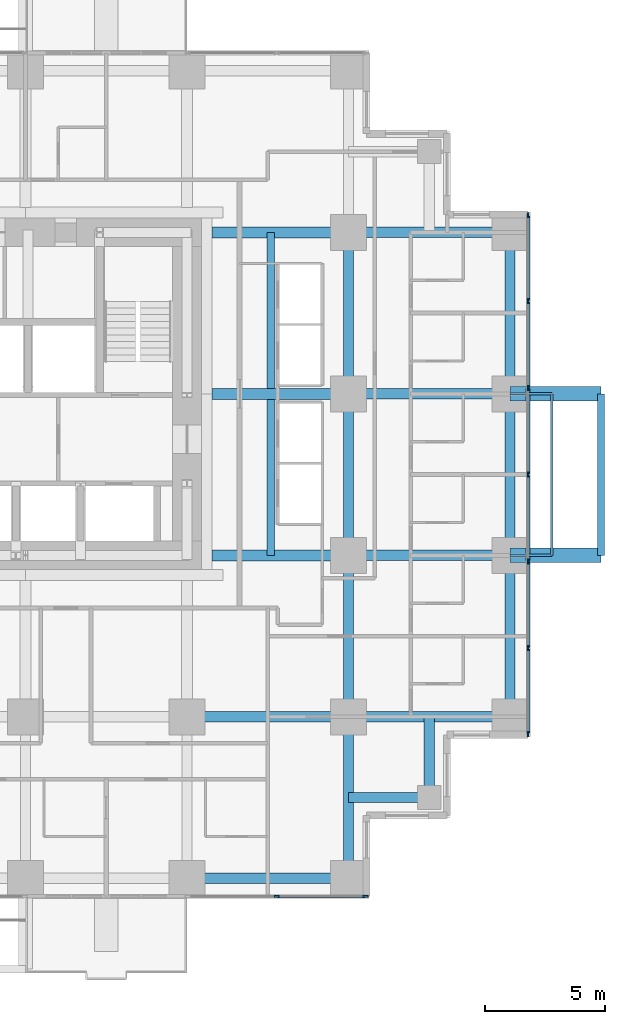
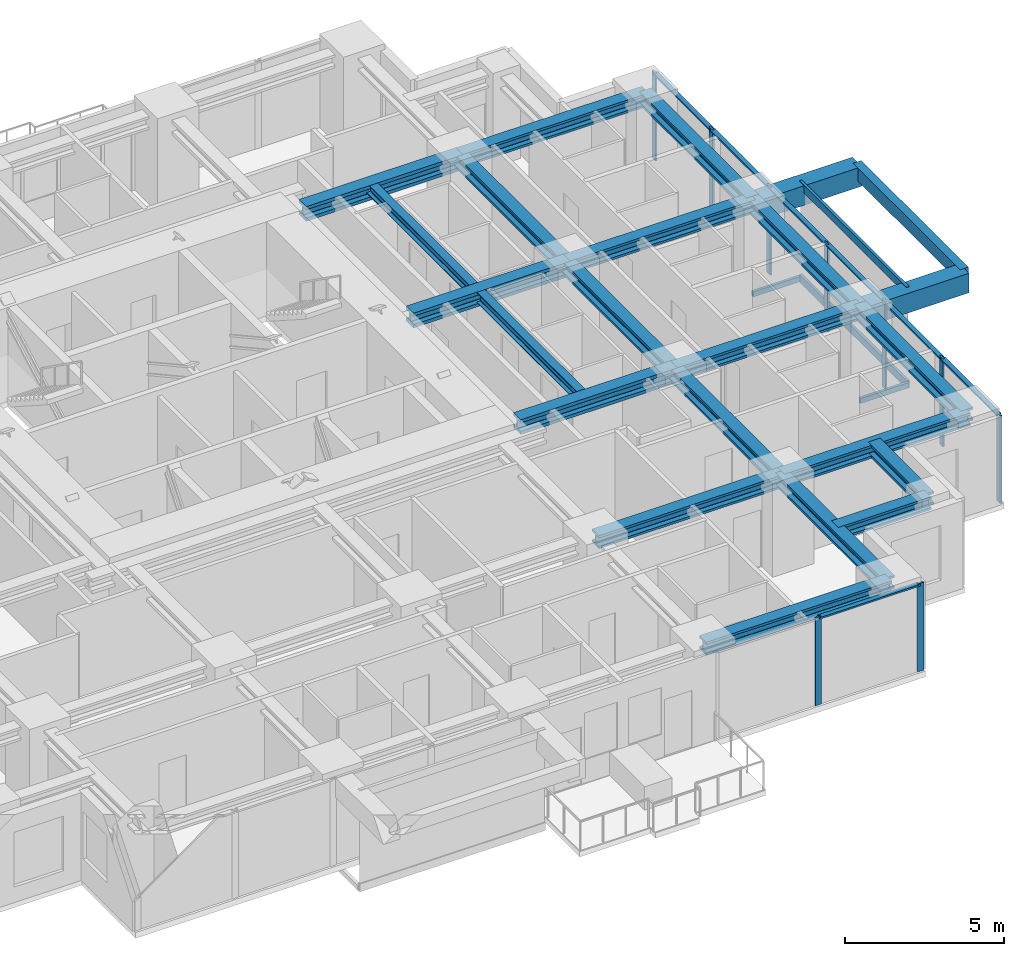
# One storey, part 4 of 12: 23 beams, 20 members, 2 elements without a shape of their own.
"""IFC4 building model written with IfcOpenShell, lengths in metres."""

from ifc_helpers import new_model, si_unit, direction, frame, origin, origin_2d, place, context, subcontext, project, spatial, rectangle, hollow_rectangle, i_section, extrude, material, material_profile, profile_set, type_object, element, aggregate, save


model = new_model("IFC4")

# Units and contexts
model_context = context("Model", 3, precision=1e-05, world=origin(), true_north=direction((0.0, 1.0)))
body_context = subcontext(model_context, "Body", "Model", "MODEL_VIEW")
ifc_project = project(units=[si_unit("LENGTHUNIT", "METRE"), si_unit("AREAUNIT", "SQUARE_METRE"), si_unit("VOLUMEUNIT", "CUBIC_METRE"), si_unit("PLANEANGLEUNIT", "RADIAN"), si_unit("MASSUNIT", "GRAM", prefix="KILO")], contexts=[model_context])

# Site, building, storey
site_placement = place(None, origin())
site = spatial("IfcSite", under=ifc_project, at=site_placement, CompositionType="ELEMENT")
building_placement = place(site_placement, origin())
building = spatial("IfcBuilding", under=site, at=building_placement, Name="Nyansa Garden Tower", CompositionType="ELEMENT")
storey_placement = place(building_placement, frame((0.0, 0.0, 126.89990234375)))
storey = spatial("IfcBuildingStorey", under=building, at=storey_placement, Name="L34", CompositionType="ELEMENT", Elevation=126.89990234375)

# Beams
ifc_material_1 = material(Name="Concrete C70/85", Category="concrete")
ifc_material_profile_1 = material_profile(ifc_material_1, rectangle(XDim=0.60009765625, YDim=0.75, at=origin_2d()), Name="RC 600x750")
ifc_profile_set_1 = profile_set([ifc_material_profile_1], Name="Concrete C70/85")
beam_type_1 = type_object("IfcBeamType", Name="Balcony cantilever beam CB1 RC 600x750", PredefinedType="BEAM", material=ifc_profile_set_1)
for number, where, z_axis, x_axis, name in (
    (1, (40.5, 13.5, 2.985107421875), (1.0, 0.0, 0.0), (0.0, 1.0, 0.0), "Balcony cantilever beam L35"),
    (2, (40.5, 20.25, 2.985107421875), (1.0, 0.0, 0.0), (0.0, 1.0, 0.0), "Balcony cantilever beam L35"),
):
    element("IfcBeam", number, at=place(storey_placement, frame(where, z_axis=z_axis, x_axis=x_axis)), inside=storey, type_object=beam_type_1, Name=name, PredefinedType="BEAM", context=body_context, shape_type="SweptSolid", body=[
        extrude(rectangle(XDim=0.60009765625, YDim=0.75, at=origin_2d()), origin(), (0.0, 0.0, 1.0), 3.800048828125),
    ])
ifc_material_2 = material(Name="Concrete C70/85", Category="concrete")
ifc_material_profile_2 = material_profile(ifc_material_2, rectangle(XDim=0.300048828125, YDim=0.5, at=origin_2d()), Name="RC 300x500")
ifc_profile_set_2 = profile_set([ifc_material_profile_2], Name="Concrete C70/85")
beam_type_2 = type_object("IfcBeamType", Name="Balcony edge beam BE1 RC 300x500", PredefinedType="BEAM", material=ifc_profile_set_2)
beam_placement = place(storey_placement, frame((44.300048828125, 13.5, 3.110107421875), z_axis=(0.0, 1.0, 0.0), x_axis=(-1.0, 0.0, 0.0)))
element("IfcBeam", 3, at=beam_placement, inside=storey, type_object=beam_type_2, Name="Balcony edge beam L35", PredefinedType="BEAM", context=body_context, shape_type="SweptSolid", body=[
    extrude(rectangle(XDim=0.300048828125, YDim=0.5, at=origin_2d()), origin(), (0.0, 0.0, 1.0), 6.75),
])

# Curtain wall, members
ifc_material_3 = material(Name="Black anodised aluminium, dark tinted double glazing", Category="aluminium")
curtain_wall_type = type_object("IfcCurtainWallType", Name="Inner skin curtain wall ISW-B", PredefinedType="USERDEFINED", material=ifc_material_3)
curtain_wall_1_placement = place(storey_placement, origin())
curtain_wall_1 = element("IfcCurtainWall", 4, at=curtain_wall_1_placement, inside=storey, type_object=curtain_wall_type, Name="Inner skin curtain wall L34 E", ObjectType="UNITISED CURTAIN WALL", PredefinedType="USERDEFINED")
ifc_material_4 = material(Name="Black anodised aluminium", Category="aluminium")
ifc_material_profile_3 = material_profile(ifc_material_4, rectangle(XDim=0.06494140625, YDim=0.22509765625, at=origin_2d()), Name="Mullion 225x65")
ifc_profile_set_3 = profile_set([ifc_material_profile_3], Name="Black anodised aluminium")
member_type_1 = type_object("IfcMemberType", Name="Mullion ISW-B 225x65", PredefinedType="MULLION", material=ifc_profile_set_3)
member_1_placement = place(storey_placement, frame((41.25, 6.032470703125, 0.0), z_axis=(0.0, 0.0, 1.0), x_axis=(-1.0, 0.0, 0.0)))
member_1 = element("IfcMember", 5, at=member_1_placement, type_object=member_type_1, Name="ISW-B mullion 1", PredefinedType="MULLION", context=body_context, shape_type="SweptSolid", body=[
    extrude(rectangle(XDim=0.06494140625, YDim=0.22509765625, at=origin_2d()), origin(), (0.0, 0.0, 1.0), 3.375),
])
member_2_placement = place(storey_placement, frame((41.25, 9.625, 0.0), z_axis=(0.0, 0.0, 1.0), x_axis=(-1.0, 0.0, 0.0)))
member_2 = element("IfcMember", 6, at=member_2_placement, type_object=member_type_1, Name="ISW-B mullion 2", PredefinedType="MULLION", context=body_context, shape_type="SweptSolid", body=[
    extrude(rectangle(XDim=0.06494140625, YDim=0.22509765625, at=origin_2d()), origin(), (0.0, 0.0, 1.0), 3.375),
])
member_3_placement = place(storey_placement, frame((41.25, 13.25, 0.0), z_axis=(0.0, 0.0, 1.0), x_axis=(-1.0, 0.0, 0.0)))
member_3 = element("IfcMember", 7, at=member_3_placement, type_object=member_type_1, Name="ISW-B mullion 3", PredefinedType="MULLION", context=body_context, shape_type="SweptSolid", body=[
    extrude(rectangle(XDim=0.06494140625, YDim=0.22509765625, at=origin_2d()), origin(), (0.0, 0.0, 1.0), 3.375),
])
member_4_placement = place(storey_placement, frame((41.25, 16.875, 0.0), z_axis=(0.0, 0.0, 1.0), x_axis=(-1.0, 0.0, 0.0)))
member_4 = element("IfcMember", 8, at=member_4_placement, type_object=member_type_1, Name="ISW-B mullion 4", PredefinedType="MULLION", context=body_context, shape_type="SweptSolid", body=[
    extrude(rectangle(XDim=0.06494140625, YDim=0.22509765625, at=origin_2d()), origin(), (0.0, 0.0, 1.0), 3.375),
])
member_5_placement = place(storey_placement, frame((41.25, 20.5, 0.0), z_axis=(0.0, 0.0, 1.0), x_axis=(-1.0, 0.0, 0.0)))
member_5 = element("IfcMember", 9, at=member_5_placement, type_object=member_type_1, Name="ISW-B mullion 5", PredefinedType="MULLION", context=body_context, shape_type="SweptSolid", body=[
    extrude(rectangle(XDim=0.06494140625, YDim=0.22509765625, at=origin_2d()), origin(), (0.0, 0.0, 1.0), 3.375),
])
member_6_placement = place(storey_placement, frame((41.25, 24.125, 0.0), z_axis=(0.0, 0.0, 1.0), x_axis=(-1.0, 0.0, 0.0)))
member_6 = element("IfcMember", 10, at=member_6_placement, type_object=member_type_1, Name="ISW-B mullion 6", PredefinedType="MULLION", context=body_context, shape_type="SweptSolid", body=[
    extrude(rectangle(XDim=0.06494140625, YDim=0.22509765625, at=origin_2d()), origin(), (0.0, 0.0, 1.0), 3.375),
])
member_7_placement = place(storey_placement, frame((41.25, 27.717529296875, 0.0), z_axis=(0.0, 0.0, 1.0), x_axis=(-1.0, 0.0, 0.0)))
member_7 = element("IfcMember", 11, at=member_7_placement, type_object=member_type_1, Name="ISW-B mullion 7", PredefinedType="MULLION", context=body_context, shape_type="SweptSolid", body=[
    extrude(rectangle(XDim=0.06494140625, YDim=0.22509765625, at=origin_2d()), origin(), (0.0, 0.0, 1.0), 3.375),
])

curtain_wall_2_placement = place(storey_placement, origin())
curtain_wall_2 = element("IfcCurtainWall", 12, at=curtain_wall_2_placement, inside=storey, type_object=curtain_wall_type, Name="Inner skin curtain wall L34 S", ObjectType="UNITISED CURTAIN WALL", PredefinedType="USERDEFINED")
member_8_placement = place(storey_placement, frame((30.75, -0.75, 0.0), z_axis=(0.0, 0.0, 1.0), x_axis=(0.0, 1.0, 0.0)))
member_8 = element("IfcMember", 13, at=member_8_placement, type_object=member_type_1, Name="ISW-B mullion 2", PredefinedType="MULLION", context=body_context, shape_type="SweptSolid", body=[
    extrude(rectangle(XDim=0.06494140625, YDim=0.22509765625, at=origin_2d()), origin(), (0.0, 0.0, 1.0), 3.375),
])
member_9_placement = place(storey_placement, frame((34.467529296875, -0.75, 0.0), z_axis=(0.0, 0.0, 1.0), x_axis=(0.0, 1.0, 0.0)))
member_9 = element("IfcMember", 14, at=member_9_placement, type_object=member_type_1, Name="ISW-B mullion 3", PredefinedType="MULLION", context=body_context, shape_type="SweptSolid", body=[
    extrude(rectangle(XDim=0.06494140625, YDim=0.22509765625, at=origin_2d()), origin(), (0.0, 0.0, 1.0), 3.375),
])

# Members
ifc_material_5 = material(Name="Steel S355, black powder coated", Category="steel")
ifc_material_profile_4 = material_profile(ifc_material_5, hollow_rectangle(XDim=0.10009765625, YDim=0.199951171875, WallThickness=0.008056640625, at=origin_2d()), Name="RHS 200x100x8")
ifc_profile_set_4 = profile_set([ifc_material_profile_4], Name="Steel S355, black powder coated")
member_type_2 = type_object("IfcMemberType", Name="Outer skin bracket arm RHS 200x100x8", PredefinedType="USERDEFINED", material=ifc_profile_set_4)
for number, where, z_axis, x_axis, name in (
    (15, (40.5, 13.5, -0.375), (1.0, 0.0, 0.0), (0.0, 1.0, 0.0), "Outer skin bracket arm"),
    (16, (40.5, 20.25, -0.375), (1.0, 0.0, 0.0), (0.0, 1.0, 0.0), "Outer skin bracket arm"),
):
    element("IfcMember", number, at=place(storey_placement, frame(where, z_axis=z_axis, x_axis=x_axis)), inside=storey, type_object=member_type_2, Name=name, ObjectType="OUTER SKIN BRACKET", PredefinedType="USERDEFINED", context=body_context, shape_type="SweptSolid", body=[
        extrude(hollow_rectangle(XDim=0.10009765625, YDim=0.199951171875, WallThickness=0.008056640625, at=origin_2d()), origin(), (0.0, 0.0, 1.0), 1.75),
    ])
ifc_material_6 = material(Name="Steel S355, black powder coated", Category="steel")
ifc_material_profile_5 = material_profile(ifc_material_6, hollow_rectangle(XDim=0.10009765625, YDim=0.300048828125, WallThickness=0.010009765625, at=origin_2d()), Name="RHS 300x100x10")
ifc_profile_set_5 = profile_set([ifc_material_profile_5], Name="Steel S355, black powder coated")
member_type_3 = type_object("IfcMemberType", Name="Outer skin rail RHS 300x100x10", PredefinedType="USERDEFINED", material=ifc_profile_set_5)
for number, where, z_axis, x_axis, name in (
    (17, (42.25, 13.5, -0.375), (0.0, 1.0, 0.0), (-1.0, 0.0, 0.0), "Outer skin rail L34"),
    (18, (42.25, 13.5, 3.22509765625), (0.0, 1.0, 0.0), (-1.0, 0.0, 0.0), "Outer skin rail L34 head"),
):
    element("IfcMember", number, at=place(storey_placement, frame(where, z_axis=z_axis, x_axis=x_axis)), inside=storey, type_object=member_type_3, Name=name, ObjectType="OUTER SKIN RAIL", PredefinedType="USERDEFINED", context=body_context, shape_type="SweptSolid", body=[
        extrude(hollow_rectangle(XDim=0.10009765625, YDim=0.300048828125, WallThickness=0.010009765625, at=origin_2d()), origin(), (0.0, 0.0, 1.0), 6.75),
    ])

# Beams
ifc_material_7 = material(Name="Steel S355", Category="steel")
ifc_material_profile_6 = material_profile(ifc_material_7, i_section(OverallWidth=0.431884765625, OverallDepth=0.498046875, WebThickness=0.0556640625, FlangeThickness=0.0888671875, FilletRadius=0.014892578125, at=origin_2d()), Name="HD 400x744")
ifc_profile_set_6 = profile_set([ifc_material_profile_6], Name="Steel S355")
beam_type_3 = type_object("IfcBeamType", Name="Steel beam SBB1-744 HD 400x744", PredefinedType="BEAM", material=ifc_profile_set_6)
for number, where, z_axis, x_axis, name in (
    (19, (27.0, 6.75, 3.1259765625), (1.0, 0.0, 0.0), (0.0, 1.0, 0.0), "Steel beam 6/E-7/E L35"),
    (20, (33.75, 0.0, 3.1259765625), (0.0, 1.0, 0.0), (-1.0, 0.0, 0.0), "Steel beam 7/D-7/E L35"),
    (21, (33.75, 6.75, 3.1259765625), (0.0, 1.0, 0.0), (-1.0, 0.0, 0.0), "Steel beam 7/E-7/F L35"),
    (22, (33.75, 6.75, 3.1259765625), (1.0, 0.0, 0.0), (0.0, 1.0, 0.0), "Steel beam 7/E-8/E L35"),
    (23, (33.75, 13.5, 3.1259765625), (0.0, 1.0, 0.0), (-1.0, 0.0, 0.0), "Steel beam 7/F-7/G L35"),
    (24, (33.75, 13.5, 3.1259765625), (1.0, 0.0, 0.0), (0.0, 1.0, 0.0), "Steel beam 7/F-8/F L35"),
    (25, (33.75, 20.25, 3.1259765625), (0.0, 1.0, 0.0), (-1.0, 0.0, 0.0), "Steel beam 7/G-7/H L35"),
    (26, (33.75, 20.25, 3.1259765625), (1.0, 0.0, 0.0), (0.0, 1.0, 0.0), "Steel beam 7/G-8/G L35"),
    (27, (33.75, 27.0, 3.1259765625), (1.0, 0.0, 0.0), (0.0, 1.0, 0.0), "Steel beam 7/H-8/H L35"),
):
    element("IfcBeam", number, at=place(storey_placement, frame(where, z_axis=z_axis, x_axis=x_axis)), inside=storey, type_object=beam_type_3, Name=name, PredefinedType="BEAM", context=body_context, shape_type="SweptSolid", body=[
        extrude(i_section(OverallWidth=0.431884765625, OverallDepth=0.498046875, WebThickness=0.0556640625, FlangeThickness=0.0888671875, FilletRadius=0.014892578125, at=origin_2d()), origin(), (0.0, 0.0, 1.0), 6.75),
    ])
ifc_material_8 = material(Name="Steel S355", Category="steel")
ifc_material_profile_7 = material_profile(ifc_material_8, i_section(OverallWidth=0.4541015625, OverallDepth=0.569091796875, WebThickness=0.077880859375, FlangeThickness=0.125, FilletRadius=0.014892578125, at=origin_2d()), Name="HD 400x1086")
ifc_profile_set_7 = profile_set([ifc_material_profile_7], Name="Steel S355")
beam_type_4 = type_object("IfcBeamType", Name="Steel beam SCL-1086 HD 400x1086", PredefinedType="BEAM", material=ifc_profile_set_7)
for number, where, z_axis, x_axis, name in (
    (28, (28.050048828125, 13.5, 3.090576171875), (1.0, 0.0, 0.0), (0.0, 1.0, 0.0), "Steel beam 28.050/F-7/F L35"),
    (29, (28.050048828125, 20.25, 3.090576171875), (1.0, 0.0, 0.0), (0.0, 1.0, 0.0), "Steel beam 28.050/G-7/G L35"),
    (30, (28.050048828125, 27.0, 3.090576171875), (1.0, 0.0, 0.0), (0.0, 1.0, 0.0), "Steel beam 28.050/H-7/H L35"),
):
    element("IfcBeam", number, at=place(storey_placement, frame(where, z_axis=z_axis, x_axis=x_axis)), inside=storey, type_object=beam_type_4, Name=name, PredefinedType="BEAM", context=body_context, shape_type="SweptSolid", body=[
        extrude(i_section(OverallWidth=0.4541015625, OverallDepth=0.569091796875, WebThickness=0.077880859375, FlangeThickness=0.125, FilletRadius=0.014892578125, at=origin_2d()), origin(), (0.0, 0.0, 1.0), 5.699951171875),
    ])
ifc_material_9 = material(Name="Steel S355", Category="steel")
ifc_material_profile_8 = material_profile(ifc_material_9, i_section(OverallWidth=0.431884765625, OverallDepth=0.498046875, WebThickness=0.0556640625, FlangeThickness=0.0888671875, FilletRadius=0.014892578125, at=origin_2d()), Name="HD 400x744")
ifc_profile_set_8 = profile_set([ifc_material_profile_8], Name="Steel S355")
beam_type_5 = type_object("IfcBeamType", Name="Steel beam SEBB-744 HD 400x744", PredefinedType="BEAM", material=ifc_profile_set_8)
for number, where, z_axis, x_axis, name in (
    (31, (27.0, 0.0, 3.1259765625), (1.0, 0.0, 0.0), (0.0, 1.0, 0.0), "Steel edge beam 6/D-7/D L35"),
    (32, (40.5, 6.75, 3.1259765625), (0.0, 1.0, 0.0), (-1.0, 0.0, 0.0), "Steel edge beam 8/E-8/F L35"),
    (33, (40.5, 13.5, 3.1259765625), (0.0, 1.0, 0.0), (-1.0, 0.0, 0.0), "Steel edge beam 8/F-8/G L35"),
    (34, (40.5, 20.25, 3.1259765625), (0.0, 1.0, 0.0), (-1.0, 0.0, 0.0), "Steel edge beam 8/G-8/H L35"),
):
    element("IfcBeam", number, at=place(storey_placement, frame(where, z_axis=z_axis, x_axis=x_axis)), inside=storey, type_object=beam_type_5, Name=name, PredefinedType="BEAM", context=body_context, shape_type="SweptSolid", body=[
        extrude(i_section(OverallWidth=0.431884765625, OverallDepth=0.498046875, WebThickness=0.0556640625, FlangeThickness=0.0888671875, FilletRadius=0.014892578125, at=origin_2d()), origin(), (0.0, 0.0, 1.0), 6.75),
    ])
ifc_material_10 = material(Name="Steel S355", Category="steel")
ifc_material_profile_9 = material_profile(ifc_material_10, i_section(OverallWidth=0.431884765625, OverallDepth=0.498046875, WebThickness=0.0556640625, FlangeThickness=0.0888671875, FilletRadius=0.014892578125, at=origin_2d()), Name="HD 400x744")
ifc_profile_set_9 = profile_set([ifc_material_profile_9], Name="Steel S355")
beam_type_6 = type_object("IfcBeamType", Name="Steel beam SSB1-744 HD 400x744", PredefinedType="BEAM", material=ifc_profile_set_9)
for number, where, z_axis, x_axis, name in (
    (35, (37.125, 3.375, 3.1259765625), (0.0, 1.0, 0.0), (-1.0, 0.0, 0.0), "Steel step beam 37.125/3.375 L35"),
    (36, (37.125, 3.375, 3.1259765625), (-1.0, 0.0, 0.0), (0.0, -1.0, 0.0), "Steel step beam 37.125/3.375 L35"),
):
    element("IfcBeam", number, at=place(storey_placement, frame(where, z_axis=z_axis, x_axis=x_axis)), inside=storey, type_object=beam_type_6, Name=name, PredefinedType="BEAM", context=body_context, shape_type="SweptSolid", body=[
        extrude(i_section(OverallWidth=0.431884765625, OverallDepth=0.498046875, WebThickness=0.0556640625, FlangeThickness=0.0888671875, FilletRadius=0.014892578125, at=origin_2d()), origin(), (0.0, 0.0, 1.0), 3.375),
    ])

# Member
ifc_material_11 = material(Name="Black anodised aluminium", Category="aluminium")
ifc_material_profile_10 = material_profile(ifc_material_11, rectangle(XDim=0.1650390625, YDim=0.06494140625, at=origin_2d()), Name="Transom 165x65")
ifc_profile_set_10 = profile_set([ifc_material_profile_10], Name="Black anodised aluminium")
member_type_4 = type_object("IfcMemberType", Name="Transom ISW-B 165x65", PredefinedType="USERDEFINED", material=ifc_profile_set_10)
member_10_placement = place(storey_placement, frame((41.25, 6.06494140625, 3.342529296875), z_axis=(0.0, 1.0, 0.0), x_axis=(-1.0, 0.0, 0.0)))
member_10 = element("IfcMember", 37, at=member_10_placement, type_object=member_type_4, Name="ISW-B transom 1", ObjectType="TRANSOM", PredefinedType="USERDEFINED", context=body_context, shape_type="SweptSolid", body=[
    extrude(rectangle(XDim=0.1650390625, YDim=0.06494140625, at=origin_2d()), origin(), (0.0, 0.0, 1.0), 3.527587890625),
])

member_11_placement = place(storey_placement, frame((41.25, 9.657470703125, 3.342529296875), z_axis=(0.0, 1.0, 0.0), x_axis=(-1.0, 0.0, 0.0)))
member_11 = element("IfcMember", 38, at=member_11_placement, type_object=member_type_4, Name="ISW-B transom 2", ObjectType="TRANSOM", PredefinedType="USERDEFINED", context=body_context, shape_type="SweptSolid", body=[
    extrude(rectangle(XDim=0.1650390625, YDim=0.06494140625, at=origin_2d()), origin(), (0.0, 0.0, 1.0), 3.56005859375),
])

member_12_placement = place(storey_placement, frame((41.25, 13.282470703125, 3.342529296875), z_axis=(0.0, 1.0, 0.0), x_axis=(-1.0, 0.0, 0.0)))
member_12 = element("IfcMember", 39, at=member_12_placement, type_object=member_type_4, Name="ISW-B transom 3", ObjectType="TRANSOM", PredefinedType="USERDEFINED", context=body_context, shape_type="SweptSolid", body=[
    extrude(rectangle(XDim=0.1650390625, YDim=0.06494140625, at=origin_2d()), origin(), (0.0, 0.0, 1.0), 3.56005859375),
])

member_13_placement = place(storey_placement, frame((41.25, 16.907470703125, 3.342529296875), z_axis=(0.0, 1.0, 0.0), x_axis=(-1.0, 0.0, 0.0)))
member_13 = element("IfcMember", 40, at=member_13_placement, type_object=member_type_4, Name="ISW-B transom 4", ObjectType="TRANSOM", PredefinedType="USERDEFINED", context=body_context, shape_type="SweptSolid", body=[
    extrude(rectangle(XDim=0.1650390625, YDim=0.06494140625, at=origin_2d()), origin(), (0.0, 0.0, 1.0), 3.56005859375),
])

member_14_placement = place(storey_placement, frame((41.25, 20.532470703125, 3.342529296875), z_axis=(0.0, 1.0, 0.0), x_axis=(-1.0, 0.0, 0.0)))
member_14 = element("IfcMember", 41, at=member_14_placement, type_object=member_type_4, Name="ISW-B transom 5", ObjectType="TRANSOM", PredefinedType="USERDEFINED", context=body_context, shape_type="SweptSolid", body=[
    extrude(rectangle(XDim=0.1650390625, YDim=0.06494140625, at=origin_2d()), origin(), (0.0, 0.0, 1.0), 3.56005859375),
])

member_15_placement = place(storey_placement, frame((41.25, 24.157470703125, 3.342529296875), z_axis=(0.0, 1.0, 0.0), x_axis=(-1.0, 0.0, 0.0)))
member_15 = element("IfcMember", 42, at=member_15_placement, type_object=member_type_4, Name="ISW-B transom 6", ObjectType="TRANSOM", PredefinedType="USERDEFINED", context=body_context, shape_type="SweptSolid", body=[
    extrude(rectangle(XDim=0.1650390625, YDim=0.06494140625, at=origin_2d()), origin(), (0.0, 0.0, 1.0), 3.527587890625),
])

aggregate(curtain_wall_1, [member_1, member_2, member_3, member_4, member_5, member_6, member_7, member_10, member_11, member_12, member_13, member_14, member_15])

member_16_placement = place(storey_placement, frame((30.782470703125, -0.75, 3.342529296875), z_axis=(1.0, 0.0, 0.0), x_axis=(0.0, 1.0, 0.0)))
member_16 = element("IfcMember", 43, at=member_16_placement, type_object=member_type_4, Name="ISW-B transom 2", ObjectType="TRANSOM", PredefinedType="USERDEFINED", context=body_context, shape_type="SweptSolid", body=[
    extrude(rectangle(XDim=0.1650390625, YDim=0.06494140625, at=origin_2d()), origin(), (0.0, 0.0, 1.0), 3.652587890625),
])

aggregate(curtain_wall_2, [member_8, member_9, member_16])

# Beams
ifc_material_12 = material(Name="Steel S355", Category="steel")
ifc_material_profile_11 = material_profile(ifc_material_12, i_section(OverallWidth=0.300048828125, OverallDepth=0.39990234375, WebThickness=0.013427734375, FlangeThickness=0.02392578125, FilletRadius=0.027099609375, at=origin_2d()), Name="HE 400 B")
ifc_profile_set_11 = profile_set([ifc_material_profile_11], Name="Steel S355")
beam_type_7 = type_object("IfcBeamType", Name="Trimmer beam TR1 HE 400 B", PredefinedType="BEAM", material=ifc_profile_set_11)
for number, where, z_axis, x_axis, name in (
    (44, (30.5, 13.5, 3.175048828125), (0.0, 1.0, 0.0), (-1.0, 0.0, 0.0), "Trimmer beam 1 L35"),
    (45, (30.5, 20.47705078125, 3.175048828125), (0.0, 1.0, 0.0), (-1.0, 0.0, 0.0), "Trimmer beam 2 L35"),
):
    element("IfcBeam", number, at=place(storey_placement, frame(where, z_axis=z_axis, x_axis=x_axis)), inside=storey, type_object=beam_type_7, Name=name, PredefinedType="BEAM", context=body_context, shape_type="SweptSolid", body=[
        extrude(i_section(OverallWidth=0.300048828125, OverallDepth=0.39990234375, WebThickness=0.013427734375, FlangeThickness=0.02392578125, FilletRadius=0.027099609375, at=origin_2d()), origin(), (0.0, 0.0, 1.0), 6.52294921875),
    ])

save(model, "model.ifc")
